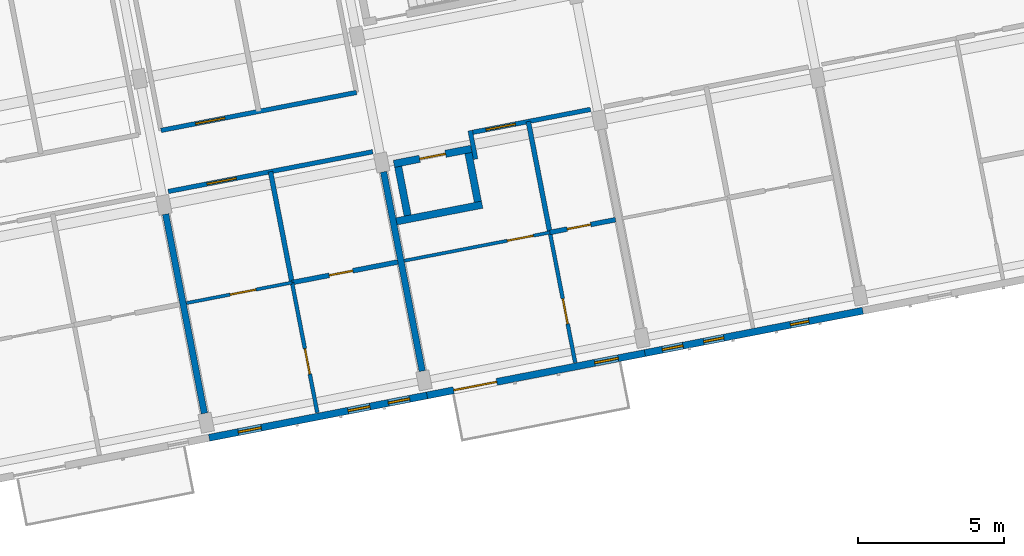
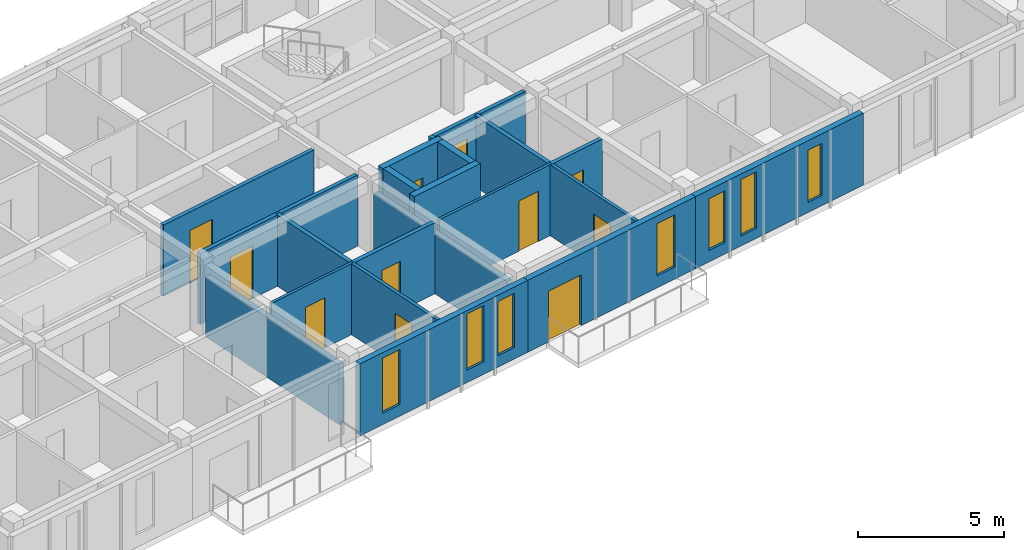
# One storey, part 35 of 68: 21 walls, 11 doors, 7 windows, 18 openings.
"""IFC4 building model written with IfcOpenShell, lengths in metres."""

from ifc_helpers import new_model, si_unit, direction, frame, frame_2d, origin, place, context, subcontext, project, spatial, rectangle, extrude, material, layer, layer_set, type_object, element, fill, save


model = new_model("IFC4")

# Units and contexts
model_context = context("Model", 3, precision=1e-05, world=origin(), true_north=direction((0.0, 1.0)))
body_context = subcontext(model_context, "Body", "Model", "MODEL_VIEW")
ifc_project = project(units=[si_unit("LENGTHUNIT", "METRE"), si_unit("AREAUNIT", "SQUARE_METRE"), si_unit("VOLUMEUNIT", "CUBIC_METRE"), si_unit("PLANEANGLEUNIT", "RADIAN"), si_unit("MASSUNIT", "GRAM", prefix="KILO")], contexts=[model_context])

# Site, building, storey
site_placement = place(None, origin())
site = spatial("IfcSite", under=ifc_project, at=site_placement, CompositionType="ELEMENT")
building_placement = place(site_placement, origin())
building = spatial("IfcBuilding", under=site, at=building_placement, Name="Kestramere Prow Commons", CompositionType="ELEMENT")
storey_placement = place(building_placement, frame((0.0, 0.0, 18.14990234375)))
storey = spatial("IfcBuildingStorey", under=building, at=storey_placement, Name="L05", CompositionType="ELEMENT", Elevation=18.14990234375)

# Wall, openings, windows
ifc_material_1 = material(Name="Fluoropolymer Standing-Seam Zinc-Aluminium Cladding", Category="aluminium")
ifc_layer_1 = layer(ifc_material_1, 0.239990234375)
ifc_layer_set_1 = layer_set([ifc_layer_1], Name="Fluoropolymer Standing-Seam Zinc-Aluminium Cladding")
wall_type_1 = type_object("IfcWallType", Name="EW-SEAM-240", PredefinedType="SOLIDWALL", material=ifc_layer_set_1)
wall_1_placement = place(storey_placement, frame((140.88134765625, 37.835205078125, 0.0), z_axis=(0.0, 0.0, 1.0), x_axis=(-0.981626422232, -0.190812911449, 0.0)))
wall_1 = element("IfcWall", 1, at=wall_1_placement, inside=storey, type_object=wall_type_1, Name="Block D L05 South Standing-Seam Wall 3", PredefinedType="SOLIDWALL", context=body_context, shape_type="SweptSolid", body=[
    extrude(rectangle(XDim=7.60009765625, YDim=0.239990234375, at=frame_2d((3.800048828125, 0.0))), origin(), (0.0, 0.0, 1.0), 3.0),
])
opening_1_placement = place(wall_1_placement, frame((0.610107421875, 0.0, 0.47998046875)))
opening_1 = element("IfcOpeningElement", 2, at=opening_1_placement, cuts=wall_1, Name="Opening WN-09", PredefinedType="OPENING", context=body_context, shape_type="SweptSolid", body=[
    extrude(rectangle(XDim=0.739990234375, YDim=2.260009765625, at=frame_2d((0.3701171875, 1.1298828125))), frame((0.0, 0.135009765625, 0.0), z_axis=(0.0, -1.0, 0.0), x_axis=(1.0, 0.0, 0.0)), (0.0, 0.0, 1.0), 0.27001953125),
])
opening_2_placement = place(wall_1_placement, frame((1.991943359375, 0.0, 0.52001953125)))
opening_2 = element("IfcOpeningElement", 3, at=opening_2_placement, cuts=wall_1, Name="Opening WN-10", PredefinedType="OPENING", context=body_context, shape_type="SweptSolid", body=[
    extrude(rectangle(XDim=0.760009765625, YDim=2.340087890625, at=frame_2d((0.3798828125, 1.169921875))), frame((0.0, 0.135009765625, 0.0), z_axis=(0.0, -1.0, 0.0), x_axis=(1.0, 0.0, 0.0)), (0.0, 0.0, 1.0), 0.27001953125),
])
opening_3_placement = place(wall_1_placement, frame((5.7822265625, 0.0, 0.47998046875)))
opening_3 = element("IfcOpeningElement", 4, at=opening_3_placement, cuts=wall_1, Name="Opening WN-12", PredefinedType="OPENING", context=body_context, shape_type="SweptSolid", body=[
    extrude(rectangle(XDim=0.800048828125, YDim=2.300048828125, at=frame_2d((0.39990234375, 1.14990234375))), frame((0.0, 0.135009765625, 0.0), z_axis=(0.0, -1.0, 0.0), x_axis=(1.0, 0.0, 0.0)), (0.0, 0.0, 1.0), 0.27001953125),
])
ifc_material_2 = material(Name="Low-E Laminated Double Glazing", Category="glass")
window_type_1 = type_object("IfcWindowType", Name="WN-NAR-740A", PartitioningType="SINGLE_PANEL", PredefinedType="WINDOW", material=ifc_material_2)
window_1_placement = place(opening_1_placement, origin())
window_1 = element("IfcWindow", 5, at=window_1_placement, inside=storey, type_object=window_type_1, Name="WN-D-L05-S-2-00", OverallHeight=2.260009765625, OverallWidth=0.739990234375, PartitioningType="SINGLE_PANEL", PredefinedType="WINDOW", context=body_context, shape_type="SweptSolid", body=[
    extrude(rectangle(XDim=0.739990234375, YDim=2.260009765625, at=frame_2d((0.3701171875, 1.1298828125))), frame((0.0, 0.030029296875, 0.0), z_axis=(0.0, -1.0, 0.0), x_axis=(1.0, 0.0, 0.0)), (0.0, 0.0, 1.0), 0.06005859375),
])
fill(opening_1, window_1)
window_type_2 = type_object("IfcWindowType", Name="WN-NAR-760A", PartitioningType="SINGLE_PANEL", PredefinedType="WINDOW", material=ifc_material_2)
window_2_placement = place(opening_2_placement, origin())
window_2 = element("IfcWindow", 6, at=window_2_placement, inside=storey, type_object=window_type_2, Name="WN-D-L05-S-2-01", OverallHeight=2.340087890625, OverallWidth=0.760009765625, PartitioningType="SINGLE_PANEL", PredefinedType="WINDOW", context=body_context, shape_type="SweptSolid", body=[
    extrude(rectangle(XDim=0.760009765625, YDim=2.340087890625, at=frame_2d((0.3798828125, 1.169921875))), frame((0.0, 0.030029296875, 0.0), z_axis=(0.0, -1.0, 0.0), x_axis=(1.0, 0.0, 0.0)), (0.0, 0.0, 1.0), 0.06005859375),
])
fill(opening_2, window_2)
window_type_3 = type_object("IfcWindowType", Name="WN-NAR-800A", PartitioningType="SINGLE_PANEL", PredefinedType="WINDOW", material=ifc_material_2)
window_3_placement = place(opening_3_placement, origin())
window_3 = element("IfcWindow", 7, at=window_3_placement, inside=storey, type_object=window_type_3, Name="WN-D-L05-S-2-10", OverallHeight=2.300048828125, OverallWidth=0.800048828125, PartitioningType="SINGLE_PANEL", PredefinedType="WINDOW", context=body_context, shape_type="SweptSolid", body=[
    extrude(rectangle(XDim=0.800048828125, YDim=2.300048828125, at=frame_2d((0.39990234375, 1.14990234375))), frame((0.0, 0.030029296875, 0.0), z_axis=(0.0, -1.0, 0.0), x_axis=(1.0, 0.0, 0.0)), (0.0, 0.0, 1.0), 0.06005859375),
])
fill(opening_3, window_3)

# Wall, openings, door, window
wall_2_placement = place(storey_placement, frame((148.341552734375, 39.28515625, 0.0), z_axis=(0.0, 0.0, 1.0), x_axis=(-0.981631269434, -0.190787973596, 0.0)))
wall_2 = element("IfcWall", 8, at=wall_2_placement, inside=storey, type_object=wall_type_1, Name="Block D L05 South Standing-Seam Wall 4", PredefinedType="SOLIDWALL", context=body_context, shape_type="SweptSolid", body=[
    extrude(rectangle(XDim=7.599853515625, YDim=0.239990234375, at=frame_2d((3.7998046875, 0.0))), origin(), (0.0, 0.0, 1.0), 3.0),
])
opening_4_placement = place(wall_2_placement, frame((5.1689453125, 0.0, 0.0)))
opening_4 = element("IfcOpeningElement", 9, at=opening_4_placement, cuts=wall_2, Name="Opening GD-BAL-01", PredefinedType="OPENING", context=body_context, shape_type="SweptSolid", body=[
    extrude(rectangle(XDim=1.5, YDim=2.1201171875, at=frame_2d((0.75, 1.06005859375))), frame((0.0, 0.135009765625, 0.0), z_axis=(0.0, -1.0, 0.0), x_axis=(1.0, 0.0, 0.0)), (0.0, 0.0, 1.0), 0.27001953125),
])
opening_5_placement = place(wall_2_placement, frame((0.929931640625, 0.0, 0.5)))
opening_5 = element("IfcOpeningElement", 10, at=opening_5_placement, cuts=wall_2, Name="Opening WN-13", PredefinedType="OPENING", context=body_context, shape_type="SweptSolid", body=[
    extrude(rectangle(XDim=0.820068359375, YDim=2.179931640625, at=frame_2d((0.41015625, 1.08984375))), frame((0.0, 0.135009765625, 0.0), z_axis=(0.0, -1.0, 0.0), x_axis=(1.0, 0.0, 0.0)), (0.0, 0.0, 1.0), 0.27001953125),
])
ifc_material_3 = material(Name="Thermally-Broken Anodised Aluminium Glazed", Category="aluminium")
door_type_1 = type_object("IfcDoorType", Name="GD-BAL-1500", OperationType="SLIDING_TO_RIGHT", PredefinedType="DOOR", material=ifc_material_3)
door_1_placement = place(opening_4_placement, origin())
door_1 = element("IfcDoor", 11, at=door_1_placement, inside=storey, type_object=door_type_1, Name="Block D L05 Balcony Door 4", OperationType="SLIDING_TO_RIGHT", OverallHeight=2.1201171875, OverallWidth=1.5, PredefinedType="DOOR", context=body_context, shape_type="SweptSolid", body=[
    extrude(rectangle(XDim=1.5, YDim=2.1201171875, at=frame_2d((0.75, 1.06005859375))), frame((0.0, 0.02490234375, 0.0), z_axis=(0.0, -1.0, 0.0), x_axis=(1.0, 0.0, 0.0)), (0.0, 0.0, 1.0), 0.050048828125),
])
fill(opening_4, door_1)
window_type_4 = type_object("IfcWindowType", Name="WN-NAR-820A", PartitioningType="DOUBLE_PANEL_VERTICAL", PredefinedType="WINDOW", material=ifc_material_2)
window_4_placement = place(opening_5_placement, origin())
window_4 = element("IfcWindow", 12, at=window_4_placement, inside=storey, type_object=window_type_4, Name="WN-D-L05-SR-3", OverallHeight=2.179931640625, OverallWidth=0.820068359375, PartitioningType="SINGLE_PANEL", PredefinedType="WINDOW", context=body_context, shape_type="SweptSolid", body=[
    extrude(rectangle(XDim=0.820068359375, YDim=2.179931640625, at=frame_2d((0.41015625, 1.08984375))), frame((0.0, 0.030029296875, 0.0), z_axis=(0.0, -1.0, 0.0), x_axis=(1.0, 0.0, 0.0)), (0.0, 0.0, 1.0), 0.06005859375),
])
fill(opening_5, window_4)

# Wall, openings, windows
wall_3_placement = place(storey_placement, frame((155.802001953125, 40.7353515625, 0.0), z_axis=(0.0, 0.0, 1.0), x_axis=(-0.981626422232, -0.190812911449, 0.0)))
wall_3 = element("IfcWall", 13, at=wall_3_placement, inside=storey, type_object=wall_type_1, Name="Block D L05 South Standing-Seam Wall 5", PredefinedType="SOLIDWALL", context=body_context, shape_type="SweptSolid", body=[
    extrude(rectangle(XDim=7.60009765625, YDim=0.239990234375, at=frame_2d((3.800048828125, 0.0))), origin(), (0.0, 0.0, 1.0), 3.0),
])
opening_6_placement = place(wall_3_placement, frame((1.8798828125, 0.0, 0.419921875)))
opening_6 = element("IfcOpeningElement", 14, at=opening_6_placement, cuts=wall_3, Name="Opening WN-04", PredefinedType="OPENING", context=body_context, shape_type="SweptSolid", body=[
    extrude(rectangle(XDim=0.639892578125, YDim=2.179931640625, at=frame_2d((0.31982421875, 1.08984375))), frame((0.0, 0.135009765625, 0.0), z_axis=(0.0, -1.0, 0.0), x_axis=(1.0, 0.0, 0.0)), (0.0, 0.0, 1.0), 0.27001953125),
])
opening_7_placement = place(wall_3_placement, frame((4.847900390625, 0.0, 0.419921875)))
opening_7 = element("IfcOpeningElement", 15, at=opening_7_placement, cuts=wall_3, Name="Opening WN-07", PredefinedType="OPENING", context=body_context, shape_type="SweptSolid", body=[
    extrude(rectangle(XDim=0.699951171875, YDim=2.360107421875, at=frame_2d((0.35009765625, 1.18017578125))), frame((0.0, 0.135009765625, 0.0), z_axis=(0.0, -1.0, 0.0), x_axis=(1.0, 0.0, 0.0)), (0.0, 0.0, 1.0), 0.27001953125),
])
opening_8_placement = place(wall_3_placement, frame((6.27001953125, 0.0, 0.47998046875)))
opening_8 = element("IfcOpeningElement", 16, at=opening_8_placement, cuts=wall_3, Name="Opening WN-08", PredefinedType="OPENING", context=body_context, shape_type="SweptSolid", body=[
    extrude(rectangle(XDim=0.719970703125, YDim=2.159912109375, at=frame_2d((0.35986328125, 1.080078125))), frame((0.0, 0.135009765625, 0.0), z_axis=(0.0, -1.0, 0.0), x_axis=(1.0, 0.0, 0.0)), (0.0, 0.0, 1.0), 0.27001953125),
])
window_type_5 = type_object("IfcWindowType", Name="WN-NAR-640A", PartitioningType="SINGLE_PANEL", PredefinedType="WINDOW", material=ifc_material_2)
window_5_placement = place(opening_6_placement, origin())
window_5 = element("IfcWindow", 17, at=window_5_placement, inside=storey, type_object=window_type_5, Name="WN-D-L05-S-4-00", OverallHeight=2.179931640625, OverallWidth=0.639892578125, PartitioningType="SINGLE_PANEL", PredefinedType="WINDOW", context=body_context, shape_type="SweptSolid", body=[
    extrude(rectangle(XDim=0.639892578125, YDim=2.179931640625, at=frame_2d((0.31982421875, 1.08984375))), frame((0.0, 0.030029296875, 0.0), z_axis=(0.0, -1.0, 0.0), x_axis=(1.0, 0.0, 0.0)), (0.0, 0.0, 1.0), 0.06005859375),
])
fill(opening_6, window_5)
window_type_6 = type_object("IfcWindowType", Name="WN-NAR-700A", PartitioningType="SINGLE_PANEL", PredefinedType="WINDOW", material=ifc_material_2)
window_6_placement = place(opening_7_placement, origin())
window_6 = element("IfcWindow", 18, at=window_6_placement, inside=storey, type_object=window_type_6, Name="WN-D-L05-S-4-10", OverallHeight=2.360107421875, OverallWidth=0.699951171875, PartitioningType="SINGLE_PANEL", PredefinedType="WINDOW", context=body_context, shape_type="SweptSolid", body=[
    extrude(rectangle(XDim=0.699951171875, YDim=2.360107421875, at=frame_2d((0.35009765625, 1.18017578125))), frame((0.0, 0.030029296875, 0.0), z_axis=(0.0, -1.0, 0.0), x_axis=(1.0, 0.0, 0.0)), (0.0, 0.0, 1.0), 0.06005859375),
])
fill(opening_7, window_6)
window_type_7 = type_object("IfcWindowType", Name="WN-NAR-720A", PartitioningType="SINGLE_PANEL", PredefinedType="WINDOW", material=ifc_material_2)
window_7_placement = place(opening_8_placement, origin())
window_7 = element("IfcWindow", 19, at=window_7_placement, inside=storey, type_object=window_type_7, Name="WN-D-L05-S-4-11", OverallHeight=2.159912109375, OverallWidth=0.719970703125, PartitioningType="SINGLE_PANEL", PredefinedType="WINDOW", context=body_context, shape_type="SweptSolid", body=[
    extrude(rectangle(XDim=0.719970703125, YDim=2.159912109375, at=frame_2d((0.35986328125, 1.080078125))), frame((0.0, 0.030029296875, 0.0), z_axis=(0.0, -1.0, 0.0), x_axis=(1.0, 0.0, 0.0)), (0.0, 0.0, 1.0), 0.06005859375),
])
fill(opening_8, window_7)

# Wall, opening, door
ifc_material_4 = material(Name="Fire-Rated Calcium Silicate Wall")
ifc_layer_2 = layer(ifc_material_4, 0.155029296875)
ifc_layer_set_2 = layer_set([ifc_layer_2], Name="Fire-Rated Calcium Silicate Wall")
wall_type_2 = type_object("IfcWallType", Name="W-FIRE-150", PredefinedType="PARTITIONING", material=ifc_layer_set_2)
wall_4_placement = place(storey_placement, frame((132.021240234375, 44.81787109375, 0.0), z_axis=(0.0, 0.0, 1.0), x_axis=(0.981629109582, 0.190799086008, 0.0)))
wall_4 = element("IfcWall", 20, at=wall_4_placement, inside=storey, type_object=wall_type_2, Name="Interior Partition PW-D-L05-CS-2", PredefinedType="PARTITIONING", context=body_context, shape_type="SweptSolid", body=[
    extrude(rectangle(XDim=7.129638671875, YDim=0.155029296875, at=frame_2d((3.56494140625, 0.0))), origin(), (0.0, 0.0, 1.0), 2.97021484375),
])
opening_9_placement = place(wall_4_placement, frame((1.35498046875, 0.0, 0.0)))
opening_9 = element("IfcOpeningElement", 21, at=opening_9_placement, cuts=wall_4, Name="Opening ID-05", PredefinedType="OPENING", context=body_context, shape_type="SweptSolid", body=[
    extrude(rectangle(XDim=1.02001953125, YDim=2.199951171875, at=frame_2d((0.510009765625, 1.10009765625))), frame((0.0, 0.092529296875, 0.0), z_axis=(0.0, -1.0, 0.0), x_axis=(1.0, 0.0, 0.0)), (0.0, 0.0, 1.0), 0.18505859375),
])
ifc_material_5 = material(Name="Hardwood Fire-Rated Flat Entrance Door", Category="wood")
door_type_2 = type_object("IfcDoorType", Name="FD-ENT-02", OperationType="NOTDEFINED", PredefinedType="DOOR", material=ifc_material_5)
door_2_placement = place(opening_9_placement, origin())
door_2 = element("IfcDoor", 22, at=door_2_placement, inside=storey, type_object=door_type_2, Name="Interior Door DR-D-L05-ENT-S2", OperationType="SINGLE_SWING_RIGHT", OverallHeight=2.199951171875, OverallWidth=1.02001953125, PredefinedType="DOOR", context=body_context, shape_type="SweptSolid", body=[
    extrude(rectangle(XDim=1.02001953125, YDim=2.199951171875, at=frame_2d((0.510009765625, 1.10009765625))), frame((0.0, 0.02490234375, 0.0), z_axis=(0.0, -1.0, 0.0), x_axis=(1.0, 0.0, 0.0)), (0.0, 0.0, 1.0), 0.050048828125),
])
fill(opening_9, door_2)

# Wall
wall_5_placement = place(storey_placement, frame((142.5478515625, 45.9267578125, 0.0), z_axis=(0.0, 0.0, 1.0), x_axis=(-0.190639805817, 0.981660055436, 0.0)))
element("IfcWall", 23, at=wall_5_placement, inside=storey, type_object=wall_type_2, Name="Interior Partition PW-D-L05-HS-CLOSER", PredefinedType="PARTITIONING", context=body_context, shape_type="SweptSolid", body=[
    extrude(rectangle(XDim=0.9951171875, YDim=0.155029296875, at=frame_2d((0.49755859375, 0.0))), origin(), (0.0, 0.0, 1.0), 2.97021484375),
])

# Wall, opening, door
wall_6_placement = place(storey_placement, frame((142.450927734375, 46.84521484375, 0.0), z_axis=(0.0, 0.0, 1.0), x_axis=(0.981629934904, 0.190794839817, 0.0)))
wall_6 = element("IfcWall", 24, at=wall_6_placement, inside=storey, type_object=wall_type_2, Name="Interior Partition PW-D-L05-CS-3", PredefinedType="PARTITIONING", context=body_context, shape_type="SweptSolid", body=[
    extrude(rectangle(XDim=4.10498046875, YDim=0.155029296875, at=frame_2d((2.052490234375, 0.0))), origin(), (0.0, 0.0, 1.0), 2.97021484375),
])
opening_10_placement = place(wall_6_placement, frame((0.4580078125, 0.0, 0.0)))
opening_10 = element("IfcOpeningElement", 25, at=opening_10_placement, cuts=wall_6, Name="Opening ID-05", PredefinedType="OPENING", context=body_context, shape_type="SweptSolid", body=[
    extrude(rectangle(XDim=1.02001953125, YDim=2.199951171875, at=frame_2d((0.510009765625, 1.10009765625))), frame((0.0, 0.092529296875, 0.0), z_axis=(0.0, -1.0, 0.0), x_axis=(1.0, 0.0, 0.0)), (0.0, 0.0, 1.0), 0.18505859375),
])
door_3_placement = place(opening_10_placement, origin())
door_3 = element("IfcDoor", 26, at=door_3_placement, inside=storey, type_object=door_type_2, Name="Interior Door DR-D-L05-ENT-S3", OperationType="SINGLE_SWING_LEFT", OverallHeight=2.199951171875, OverallWidth=1.02001953125, PredefinedType="DOOR", context=body_context, shape_type="SweptSolid", body=[
    extrude(rectangle(XDim=1.02001953125, YDim=2.199951171875, at=frame_2d((0.510009765625, 1.10009765625))), frame((0.0, 0.02490234375, 0.0), z_axis=(0.0, -1.0, 0.0), x_axis=(1.0, 0.0, 0.0)), (0.0, 0.0, 1.0), 0.050048828125),
])
fill(opening_10, door_3)

wall_7_placement = place(storey_placement, frame((131.7724609375, 46.90869140625, 0.0), z_axis=(0.0, 0.0, 1.0), x_axis=(0.981622468528, 0.190833249935, 0.0)))
wall_7 = element("IfcWall", 27, at=wall_7_placement, inside=storey, type_object=wall_type_2, Name="Interior Partition PW-D-L05-CN-2", PredefinedType="PARTITIONING", context=body_context, shape_type="SweptSolid", body=[
    extrude(rectangle(XDim=6.820068359375, YDim=0.155029296875, at=frame_2d((3.41015625, 0.0))), origin(), (0.0, 0.0, 1.0), 2.97021484375),
])
opening_11_placement = place(wall_7_placement, frame((1.205078125, 0.0, 0.0)))
opening_11 = element("IfcOpeningElement", 28, at=opening_11_placement, cuts=wall_7, Name="Opening ID-05", PredefinedType="OPENING", context=body_context, shape_type="SweptSolid", body=[
    extrude(rectangle(XDim=1.02001953125, YDim=2.199951171875, at=frame_2d((0.510009765625, 1.10009765625))), frame((0.0, 0.092529296875, 0.0), z_axis=(0.0, -1.0, 0.0), x_axis=(1.0, 0.0, 0.0)), (0.0, 0.0, 1.0), 0.18505859375),
])
door_4_placement = place(opening_11_placement, origin())
door_4 = element("IfcDoor", 29, at=door_4_placement, inside=storey, type_object=door_type_2, Name="Interior Door DR-D-L05-ENT-N2", OperationType="SINGLE_SWING_RIGHT", OverallHeight=2.199951171875, OverallWidth=1.02001953125, PredefinedType="DOOR", context=body_context, shape_type="SweptSolid", body=[
    extrude(rectangle(XDim=1.02001953125, YDim=2.199951171875, at=frame_2d((0.510009765625, 1.10009765625))), frame((0.0, 0.02490234375, 0.0), z_axis=(0.0, -1.0, 0.0), x_axis=(1.0, 0.0, 0.0)), (0.0, 0.0, 1.0), 0.050048828125),
])
fill(opening_11, door_4)

# Wall
ifc_material_6 = material(Name="Concrete C40/50", Category="concrete")
ifc_layer_3 = layer(ifc_material_6, 0.25)
ifc_layer_set_3 = layer_set([ifc_layer_3], Name="Concrete C40/50")
wall_type_3 = type_object("IfcWallType", Name="W-HS-250", PredefinedType="SHEAR", material=ifc_layer_set_3)
wall_8_placement = place(storey_placement, frame((139.8349609375, 43.794921875, 0.0), z_axis=(0.0, 0.0, 1.0), x_axis=(0.981624737535, 0.190821578075, 0.0)))
element("IfcWall", 30, at=wall_8_placement, inside=storey, type_object=wall_type_3, Name="Block D L05 Household Shelter South Wall", PredefinedType="SHEAR", context=body_context, shape_type="SweptSolid", body=[
    extrude(rectangle(XDim=2.989990234375, YDim=0.25, at=frame_2d((1.4951171875, 0.0))), origin(), (0.0, 0.0, 1.0), 3.25),
])

# Wall, opening, door
wall_9_placement = place(storey_placement, frame((139.74755859375, 45.764404296875, 0.0), z_axis=(0.0, 0.0, 1.0), x_axis=(0.981630445883, 0.190792210834, 0.0)))
wall_9 = element("IfcWall", 31, at=wall_9_placement, inside=storey, type_object=wall_type_3, Name="Block D L05 Household Shelter North Wall", PredefinedType="SHEAR", context=body_context, shape_type="SweptSolid", body=[
    extrude(rectangle(XDim=2.699951171875, YDim=0.25, at=frame_2d((1.35009765625, 0.0))), origin(), (0.0, 0.0, 1.0), 3.25),
])
opening_12_placement = place(wall_9_placement, frame((0.89990234375, 0.0, 0.0)))
opening_12 = element("IfcOpeningElement", 32, at=opening_12_placement, cuts=wall_9, Name="Opening ID-06", PredefinedType="OPENING", context=body_context, shape_type="SweptSolid", body=[
    extrude(rectangle(XDim=0.89990234375, YDim=2.050048828125, at=frame_2d((0.449951171875, 1.02490234375))), frame((0.0, 0.139892578125, 0.0), z_axis=(0.0, -1.0, 0.0), x_axis=(1.0, 0.0, 0.0)), (0.0, 0.0, 1.0), 0.280029296875),
])
ifc_material_7 = material(Name="Galvanised Steel S275JR Household Shelter Door", Category="steel")
door_type_3 = type_object("IfcDoorType", Name="FD-HS-01", OperationType="NOTDEFINED", PredefinedType="DOOR", material=ifc_material_7)
door_5_placement = place(opening_12_placement, origin())
door_5 = element("IfcDoor", 33, at=door_5_placement, inside=storey, type_object=door_type_3, Name="Block D L05 Household Shelter Blast Door", OperationType="SINGLE_SWING_LEFT", OverallHeight=2.050048828125, OverallWidth=0.89990234375, PredefinedType="DOOR", context=body_context, shape_type="SweptSolid", body=[
    extrude(rectangle(XDim=0.89990234375, YDim=2.050048828125, at=frame_2d((0.449951171875, 1.02490234375))), frame((0.0, 0.02490234375, 0.0), z_axis=(0.0, -1.0, 0.0), x_axis=(1.0, 0.0, 0.0)), (0.0, 0.0, 1.0), 0.050048828125),
])
fill(opening_12, door_5)

# Walls
for number, where, z_axis, x_axis, name in (
    (34, (140.21826171875, 43.996826171875, 0.0), (0.0, 0.0, 1.0), (-0.190727425199, 0.981643035567, 0.0), "Block D L05 Household Shelter W Wall"),
    (35, (142.623291015625, 44.46435546875, 0.0), (0.0, 0.0, 1.0), (-0.190727425199, 0.981643035567, 0.0), "Block D L05 Household Shelter E Wall"),
):
    element("IfcWall", number, at=place(storey_placement, frame(where, z_axis=z_axis, x_axis=x_axis)), inside=storey, type_object=wall_type_3, Name=name, PredefinedType="SHEAR", context=body_context, shape_type="SweptSolid", body=[
        extrude(rectangle(XDim=1.699951171875, YDim=0.25, at=frame_2d((0.85009765625, 0.0))), origin(), (0.0, 0.0, 1.0), 3.25),
    ])

# Wall, opening, door
ifc_material_8 = material(Name="Gypsum Acoustic Drywall")
ifc_layer_4 = layer(ifc_material_8, 0.110107421875)
ifc_layer_set_4 = layer_set([ifc_layer_4], Name="Gypsum Acoustic Drywall")
wall_type_4 = type_object("IfcWallType", Name="W-PART-110", PredefinedType="PARTITIONING", material=ifc_layer_set_4)
wall_10_placement = place(storey_placement, frame((132.641845703125, 40.99609375, 0.0), z_axis=(0.0, 0.0, 1.0), x_axis=(0.981626422232, 0.190812911449, 0.0)))
wall_10 = element("IfcWall", 36, at=wall_10_placement, inside=storey, type_object=wall_type_4, Name="Interior Partition PW-D-L05-MIDS1-2", PredefinedType="PARTITIONING", context=body_context, shape_type="SweptSolid", body=[
    extrude(rectangle(XDim=3.684814453125, YDim=0.110107421875, at=frame_2d((1.84228515625, 0.0))), origin(), (0.0, 0.0, 1.0), 2.97021484375),
])
opening_13_placement = place(wall_10_placement, frame((1.52490234375, 0.0, 0.0)))
opening_13 = element("IfcOpeningElement", 37, at=opening_13_placement, cuts=wall_10, Name="Opening ID-08", PredefinedType="OPENING", context=body_context, shape_type="SweptSolid", body=[
    extrude(rectangle(XDim=0.89990234375, YDim=2.10009765625, at=frame_2d((0.449951171875, 1.050048828125))), frame((0.0, 0.070068359375, 0.0), z_axis=(0.0, -1.0, 0.0), x_axis=(1.0, 0.0, 0.0)), (0.0, 0.0, 1.0), 0.14013671875),
])
ifc_material_9 = material(Name="Engineered Timber Flush Door", Category="wood")
door_type_4 = type_object("IfcDoorType", Name="D-RM-01", OperationType="NOTDEFINED", PredefinedType="DOOR", material=ifc_material_9)
door_6_placement = place(opening_13_placement, origin())
door_6 = element("IfcDoor", 38, at=door_6_placement, inside=storey, type_object=door_type_4, Name="Interior Door DR-D-L05-KL-S2", OperationType="SINGLE_SWING_RIGHT", OverallHeight=2.10009765625, OverallWidth=0.89990234375, PredefinedType="DOOR", context=body_context, shape_type="SweptSolid", body=[
    extrude(rectangle(XDim=0.89990234375, YDim=2.10009765625, at=frame_2d((0.449951171875, 1.050048828125))), frame((0.0, 0.02490234375, 0.0), z_axis=(0.0, -1.0, 0.0), x_axis=(1.0, 0.0, 0.0)), (0.0, 0.0, 1.0), 0.050048828125),
])
fill(opening_13, door_6)

wall_11_placement = place(storey_placement, frame((140.10205078125, 42.446044921875, 0.0), z_axis=(0.0, 0.0, 1.0), x_axis=(0.981621892043, 0.19083621528, 0.0)))
wall_11 = element("IfcWall", 39, at=wall_11_placement, inside=storey, type_object=wall_type_4, Name="Interior Partition PW-D-L05-MIDS1-3", PredefinedType="PARTITIONING", context=body_context, shape_type="SweptSolid", body=[
    extrude(rectangle(XDim=5.080078125, YDim=0.110107421875, at=frame_2d((2.5400390625, 0.0))), origin(), (0.0, 0.0, 1.0), 2.97021484375),
])
opening_14_placement = place(wall_11_placement, frame((3.594970703125, 0.0, 0.0)))
opening_14 = element("IfcOpeningElement", 40, at=opening_14_placement, cuts=wall_11, Name="Opening ID-08", PredefinedType="OPENING", context=body_context, shape_type="SweptSolid", body=[
    extrude(rectangle(XDim=0.89990234375, YDim=2.10009765625, at=frame_2d((0.449951171875, 1.050048828125))), frame((0.0, 0.070068359375, 0.0), z_axis=(0.0, -1.0, 0.0), x_axis=(1.0, 0.0, 0.0)), (0.0, 0.0, 1.0), 0.14013671875),
])
door_7_placement = place(opening_14_placement, origin())
door_7 = element("IfcDoor", 41, at=door_7_placement, inside=storey, type_object=door_type_4, Name="Interior Door DR-D-L05-KL-S3", OperationType="SINGLE_SWING_RIGHT", OverallHeight=2.10009765625, OverallWidth=0.89990234375, PredefinedType="DOOR", context=body_context, shape_type="SweptSolid", body=[
    extrude(rectangle(XDim=0.89990234375, YDim=2.10009765625, at=frame_2d((0.449951171875, 1.050048828125))), frame((0.0, 0.02490234375, 0.0), z_axis=(0.0, -1.0, 0.0), x_axis=(1.0, 0.0, 0.0)), (0.0, 0.0, 1.0), 0.050048828125),
])
fill(opening_14, door_7)

ifc_material_10 = material(Name="Lightweight Blockwork and Plaster", Category="masonry")
ifc_layer_5 = layer(ifc_material_10, 0.1298828125)
ifc_layer_set_5 = layer_set([ifc_layer_5], Name="Lightweight Blockwork and Plaster")
wall_type_5 = type_object("IfcWallType", Name="W-PART-130", PredefinedType="PARTITIONING", material=ifc_layer_set_5)
wall_12_placement = place(storey_placement, frame((137.125244140625, 37.242431640625, 0.0), z_axis=(0.0, 0.0, 1.0), x_axis=(-0.190787619192, 0.981631338316, 0.0)))
wall_12 = element("IfcWall", 42, at=wall_12_placement, inside=storey, type_object=wall_type_5, Name="Interior Partition PW-D-L05-LB-S2", PredefinedType="PARTITIONING", context=body_context, shape_type="SweptSolid", body=[
    extrude(rectangle(XDim=4.540283203125, YDim=0.1298828125, at=frame_2d((2.27001953125, 0.0))), origin(), (0.0, 0.0, 1.0), 2.97021484375),
])
opening_15_placement = place(wall_12_placement, frame((1.35009765625, 0.0, 0.0)))
opening_15 = element("IfcOpeningElement", 43, at=opening_15_placement, cuts=wall_12, Name="Opening ID-10", PredefinedType="OPENING", context=body_context, shape_type="SweptSolid", body=[
    extrude(rectangle(XDim=0.8798828125, YDim=2.10009765625, at=frame_2d((0.43994140625, 1.050048828125))), frame((0.0, 0.079833984375, 0.0), z_axis=(0.0, -1.0, 0.0), x_axis=(1.0, 0.0, 0.0)), (0.0, 0.0, 1.0), 0.159912109375),
])
ifc_material_11 = material(Name="Engineered Timber Bedroom Door", Category="wood")
door_type_5 = type_object("IfcDoorType", Name="D-RM-03", OperationType="NOTDEFINED", PredefinedType="DOOR", material=ifc_material_11)
door_8_placement = place(opening_15_placement, origin())
door_8 = element("IfcDoor", 44, at=door_8_placement, inside=storey, type_object=door_type_5, Name="Interior Door DR-D-L05-BED-S2", OperationType="SINGLE_SWING_LEFT", OverallHeight=2.10009765625, OverallWidth=0.8798828125, PredefinedType="DOOR", context=body_context, shape_type="SweptSolid", body=[
    extrude(rectangle(XDim=0.8798828125, YDim=2.10009765625, at=frame_2d((0.43994140625, 1.050048828125))), frame((0.0, 0.02490234375, 0.0), z_axis=(0.0, -1.0, 0.0), x_axis=(1.0, 0.0, 0.0)), (0.0, 0.0, 1.0), 0.050048828125),
])
fill(opening_15, door_8)

wall_13_placement = place(storey_placement, frame((145.955078125, 38.958984375, 0.0), z_axis=(0.0, 0.0, 1.0), x_axis=(-0.190797690541, 0.981629380817, 0.0)))
wall_13 = element("IfcWall", 45, at=wall_13_placement, inside=storey, type_object=wall_type_5, Name="Interior Partition PW-D-L05-LB-S3", PredefinedType="PARTITIONING", context=body_context, shape_type="SweptSolid", body=[
    extrude(rectangle(XDim=4.5400390625, YDim=0.1298828125, at=frame_2d((2.27001953125, 0.0))), origin(), (0.0, 0.0, 1.0), 2.97021484375),
])
opening_16_placement = place(wall_13_placement, frame((1.35009765625, 0.0, 0.0)))
opening_16 = element("IfcOpeningElement", 46, at=opening_16_placement, cuts=wall_13, Name="Opening ID-10", PredefinedType="OPENING", context=body_context, shape_type="SweptSolid", body=[
    extrude(rectangle(XDim=0.8798828125, YDim=2.10009765625, at=frame_2d((0.43994140625, 1.050048828125))), frame((0.0, 0.079833984375, 0.0), z_axis=(0.0, -1.0, 0.0), x_axis=(1.0, 0.0, 0.0)), (0.0, 0.0, 1.0), 0.159912109375),
])
door_9_placement = place(opening_16_placement, origin())
door_9 = element("IfcDoor", 47, at=door_9_placement, inside=storey, type_object=door_type_5, Name="Interior Door DR-D-L05-BED-S3", OperationType="SINGLE_SWING_RIGHT", OverallHeight=2.10009765625, OverallWidth=0.8798828125, PredefinedType="DOOR", context=body_context, shape_type="SweptSolid", body=[
    extrude(rectangle(XDim=0.8798828125, YDim=2.10009765625, at=frame_2d((0.43994140625, 1.050048828125))), frame((0.0, 0.02490234375, 0.0), z_axis=(0.0, -1.0, 0.0), x_axis=(1.0, 0.0, 0.0)), (0.0, 0.0, 1.0), 0.050048828125),
])
fill(opening_16, door_9)

ifc_material_12 = material(Name="Waterproof Sanitary Masonry Wall", Category="masonry")
ifc_layer_6 = layer(ifc_material_12, 0.1650390625)
ifc_layer_set_6 = layer_set([ifc_layer_6], Name="Waterproof Sanitary Masonry Wall")
wall_type_6 = type_object("IfcWallType", Name="W-PLUMB-150", PredefinedType="PLUMBINGWALL", material=ifc_layer_set_6)
wall_14_placement = place(storey_placement, frame((136.259033203125, 41.69921875, 0.0), z_axis=(0.0, 0.0, 1.0), x_axis=(0.981628834294, 0.190800502313, 0.0)))
wall_14 = element("IfcWall", 48, at=wall_14_placement, inside=storey, type_object=wall_type_6, Name="Interior Partition PW-D-L05-MIDS2-2", PredefinedType="PLUMBINGWALL", context=body_context, shape_type="SweptSolid", body=[
    extrude(rectangle(XDim=3.68505859375, YDim=0.1650390625, at=frame_2d((1.842529296875, 0.0))), origin(), (0.0, 0.0, 1.0), 2.97021484375),
])
opening_17_placement = place(wall_14_placement, frame((1.300048828125, 0.0, 0.0)))
opening_17 = element("IfcOpeningElement", 49, at=opening_17_placement, cuts=wall_14, Name="Opening ID-11", PredefinedType="OPENING", context=body_context, shape_type="SweptSolid", body=[
    extrude(rectangle(XDim=0.820068359375, YDim=2.080078125, at=frame_2d((0.41015625, 1.0400390625))), frame((0.0, 0.097412109375, 0.0), z_axis=(0.0, -1.0, 0.0), x_axis=(1.0, 0.0, 0.0)), (0.0, 0.0, 1.0), 0.195068359375),
])
ifc_material_13 = material(Name="Moisture-Resistant Timber Bathroom Door", Category="wood")
door_type_6 = type_object("IfcDoorType", Name="D-BT-01", OperationType="NOTDEFINED", PredefinedType="DOOR", material=ifc_material_13)
door_10_placement = place(opening_17_placement, origin())
door_10 = element("IfcDoor", 50, at=door_10_placement, inside=storey, type_object=door_type_6, Name="Interior Door DR-D-L05-BTH-S2", OperationType="SINGLE_SWING_LEFT", OverallHeight=2.080078125, OverallWidth=0.820068359375, PredefinedType="DOOR", context=body_context, shape_type="SweptSolid", body=[
    extrude(rectangle(XDim=0.820068359375, YDim=2.080078125, at=frame_2d((0.41015625, 1.0400390625))), frame((0.0, 0.02490234375, 0.0), z_axis=(0.0, -1.0, 0.0), x_axis=(1.0, 0.0, 0.0)), (0.0, 0.0, 1.0), 0.050048828125),
])
fill(opening_17, door_10)

# Wall
wall_15_placement = place(storey_placement, frame((136.259033203125, 41.69921875, 0.0), z_axis=(0.0, 0.0, 1.0), x_axis=(-0.190835887914, 0.981621955686, 0.0)))
element("IfcWall", 51, at=wall_15_placement, inside=storey, type_object=wall_type_6, Name="Interior Partition PW-D-L05-KB-S2", PredefinedType="PLUMBINGWALL", context=body_context, shape_type="SweptSolid", body=[
    extrude(rectangle(XDim=3.869873046875, YDim=0.1650390625, at=frame_2d((1.93505859375, 0.0))), origin(), (0.0, 0.0, 1.0), 2.97021484375),
])

# Wall, opening, door
wall_16_placement = place(storey_placement, frame((145.0888671875, 43.41552734375, 0.0), z_axis=(0.0, 0.0, 1.0), x_axis=(0.981640351498, 0.190741239147, 0.0)))
wall_16 = element("IfcWall", 52, at=wall_16_placement, inside=storey, type_object=wall_type_6, Name="Interior Partition PW-D-L05-MIDS2-3", PredefinedType="PLUMBINGWALL", context=body_context, shape_type="SweptSolid", body=[
    extrude(rectangle(XDim=2.289794921875, YDim=0.1650390625, at=frame_2d((1.14501953125, 0.0))), origin(), (0.0, 0.0, 1.0), 2.97021484375),
])
opening_18_placement = place(wall_16_placement, frame((0.60205078125, 0.0, 0.0)))
opening_18 = element("IfcOpeningElement", 53, at=opening_18_placement, cuts=wall_16, Name="Opening ID-11", PredefinedType="OPENING", context=body_context, shape_type="SweptSolid", body=[
    extrude(rectangle(XDim=0.820068359375, YDim=2.080078125, at=frame_2d((0.41015625, 1.0400390625))), frame((0.0, 0.097412109375, 0.0), z_axis=(0.0, -1.0, 0.0), x_axis=(1.0, 0.0, 0.0)), (0.0, 0.0, 1.0), 0.195068359375),
])
door_11_placement = place(opening_18_placement, origin())
door_11 = element("IfcDoor", 54, at=door_11_placement, inside=storey, type_object=door_type_6, Name="Interior Door DR-D-L05-BTH-S3", OperationType="SINGLE_SWING_LEFT", OverallHeight=2.080078125, OverallWidth=0.820068359375, PredefinedType="DOOR", context=body_context, shape_type="SweptSolid", body=[
    extrude(rectangle(XDim=0.820068359375, YDim=2.080078125, at=frame_2d((0.41015625, 1.0400390625))), frame((0.0, 0.02490234375, 0.0), z_axis=(0.0, -1.0, 0.0), x_axis=(1.0, 0.0, 0.0)), (0.0, 0.0, 1.0), 0.050048828125),
])
fill(opening_18, door_11)

# Walls
wall_17_placement = place(storey_placement, frame((145.0888671875, 43.41552734375, 0.0), z_axis=(0.0, 0.0, 1.0), x_axis=(-0.190835887914, 0.981621955686, 0.0)))
element("IfcWall", 55, at=wall_17_placement, inside=storey, type_object=wall_type_6, Name="Interior Partition PW-D-L05-KB-S3", PredefinedType="PLUMBINGWALL", context=body_context, shape_type="SweptSolid", body=[
    extrude(rectangle(XDim=3.869873046875, YDim=0.1650390625, at=frame_2d((1.93505859375, 0.0))), origin(), (0.0, 0.0, 1.0), 2.97021484375),
])
ifc_material_14 = material(Name="Precast concrete C40/50", Category="concrete")
ifc_layer_7 = layer(ifc_material_14, 0.219970703125)
ifc_layer_set_7 = layer_set([ifc_layer_7], Name="Precast concrete C40/50")
wall_type_7 = type_object("IfcWallType", Name="W-XWALL-220", PredefinedType="SHEAR", material=ifc_layer_set_7)
wall_18_placement = place(storey_placement, frame((133.2587890625, 37.21923828125, 0.0), z_axis=(0.0, 0.0, 1.0), x_axis=(-0.19081042584, 0.981626905393, 0.0)))
element("IfcWall", 56, at=wall_18_placement, inside=storey, type_object=wall_type_7, Name="Block D L05 Precast Cross-Wall 2", PredefinedType="SHEAR", context=body_context, shape_type="SweptSolid", body=[
    extrude(rectangle(XDim=6.9501953125, YDim=0.219970703125, at=frame_2d((3.47509765625, 0.0))), origin(), (0.0, 0.0, 1.0), 2.5),
])
wall_19_placement = place(storey_placement, frame((140.718994140625, 38.66943359375, 0.0), z_axis=(0.0, 0.0, 1.0), x_axis=(-0.190783155939, 0.981632205773, 0.0)))
element("IfcWall", 57, at=wall_19_placement, inside=storey, type_object=wall_type_7, Name="Block D L05 Precast Cross-Wall 3", PredefinedType="SHEAR", context=body_context, shape_type="SweptSolid", body=[
    extrude(rectangle(XDim=6.949951171875, YDim=0.219970703125, at=frame_2d((3.47509765625, 0.0))), origin(), (0.0, 0.0, 1.0), 2.5),
])

save(model, "model.ifc")
